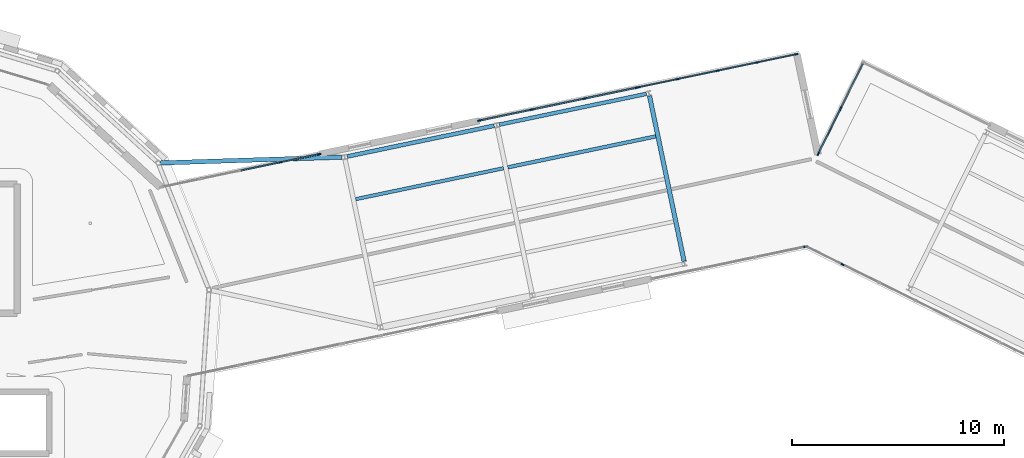
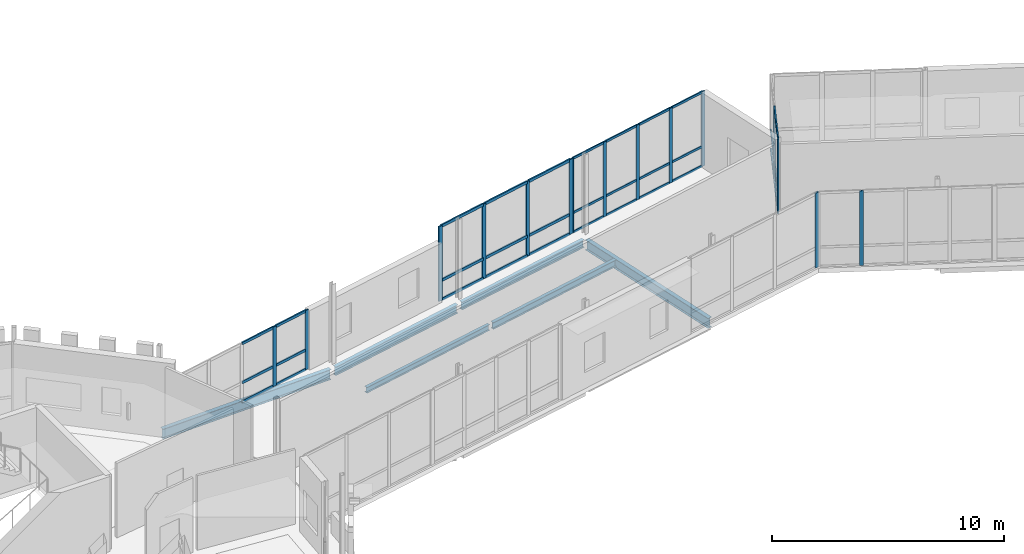
# One storey, part 52 of 125: 47 members, 6 beams, 6 elements without a shape of their own.
"""IFC4 building model written with IfcOpenShell, lengths in metres."""

from ifc_helpers import new_model, si_unit, direction, frame, origin, origin_2d, place, context, subcontext, project, spatial, rectangle, i_section, extrude, material, material_profile, profile_set, type_object, element, aggregate, save


model = new_model("IFC4")

# Units and contexts
model_context = context("Model", 3, precision=1e-05, world=origin(), true_north=direction((0.0, 1.0)))
body_context = subcontext(model_context, "Body", "Model", "MODEL_VIEW")
ifc_project = project(units=[si_unit("LENGTHUNIT", "METRE"), si_unit("AREAUNIT", "SQUARE_METRE"), si_unit("VOLUMEUNIT", "CUBIC_METRE"), si_unit("PLANEANGLEUNIT", "RADIAN"), si_unit("MASSUNIT", "GRAM", prefix="KILO")], contexts=[model_context])

# Site, building, storey
site_placement = place(None, origin())
site = spatial("IfcSite", under=ifc_project, at=site_placement, CompositionType="ELEMENT")
building_placement = place(site_placement, origin())
building = spatial("IfcBuilding", under=site, at=building_placement, Name="Wrenclough Park School", CompositionType="ELEMENT")
storey_placement = place(building_placement, frame((0.0, 0.0, 4.199951171875)))
storey = spatial("IfcBuildingStorey", under=building, at=storey_placement, Name="L01", CompositionType="ELEMENT", Elevation=4.199951171875)

# Curtain wall, members
ifc_material_1 = material(Name="Thermally broken aluminium and low-e glass curtain wall", Category="aluminium")
curtain_wall_type_1 = type_object("IfcCurtainWallType", Name="ENV-CW-13", PredefinedType="USERDEFINED", material=ifc_material_1)
curtain_wall_1_placement = place(storey_placement, origin())
curtain_wall_1 = element("IfcCurtainWall", 1, at=curtain_wall_1_placement, inside=storey, type_object=curtain_wall_type_1, Name="L01 recessed curtain wall assembly 108", ObjectType="CURTAIN WALL", PredefinedType="USERDEFINED")
ifc_material_2 = material(Name="Thermally broken anodised aluminium", Category="aluminium")
ifc_material_profile_1 = material_profile(ifc_material_2, rectangle(XDim=0.06005859375, YDim=0.159912109375, at=origin_2d()), Name="AL MULLION 60x160")
ifc_profile_set_1 = profile_set([ifc_material_profile_1], Name="Thermally broken anodised aluminium")
member_type_1 = type_object("IfcMemberType", Name="ENV-CWM-1", PredefinedType="MULLION", material=ifc_profile_set_1)
member_1_placement = place(storey_placement, frame((117.508544921875, 120.299560546875, 0.0), z_axis=(0.0, 0.0, 1.0), x_axis=(-0.204871023923, 0.978788978052, 0.0)))
member_1 = element("IfcMember", 2, at=member_1_placement, type_object=member_type_1, Name="CW-13 mullion 1", PredefinedType="MULLION", context=body_context, shape_type="SweptSolid", body=[
    extrude(rectangle(XDim=0.06005859375, YDim=0.159912109375, at=origin_2d()), origin(), (0.0, 0.0, 1.0), 3.93994140625),
])
member_2_placement = place(storey_placement, frame((119.349609375, 120.68505859375, 0.0), z_axis=(0.0, 0.0, 1.0), x_axis=(-0.204871023923, 0.978788978052, 0.0)))
member_2 = element("IfcMember", 3, at=member_2_placement, type_object=member_type_1, Name="CW-13 mullion 2", PredefinedType="MULLION", context=body_context, shape_type="SweptSolid", body=[
    extrude(rectangle(XDim=0.06005859375, YDim=0.159912109375, at=origin_2d()), origin(), (0.0, 0.0, 1.0), 3.93994140625),
])
member_3_placement = place(storey_placement, frame((121.219970703125, 121.076416015625, 0.0), z_axis=(0.0, 0.0, 1.0), x_axis=(-0.204871023923, 0.978788978052, 0.0)))
member_3 = element("IfcMember", 4, at=member_3_placement, type_object=member_type_1, Name="CW-13 mullion 3", PredefinedType="MULLION", context=body_context, shape_type="SweptSolid", body=[
    extrude(rectangle(XDim=0.06005859375, YDim=0.159912109375, at=origin_2d()), origin(), (0.0, 0.0, 1.0), 3.93994140625),
])
member_4_placement = place(storey_placement, frame((123.09033203125, 121.468017578125, 0.0), z_axis=(0.0, 0.0, 1.0), x_axis=(-0.204871023923, 0.978788978052, 0.0)))
member_4 = element("IfcMember", 5, at=member_4_placement, type_object=member_type_1, Name="CW-13 mullion 4", PredefinedType="MULLION", context=body_context, shape_type="SweptSolid", body=[
    extrude(rectangle(XDim=0.06005859375, YDim=0.159912109375, at=origin_2d()), origin(), (0.0, 0.0, 1.0), 3.93994140625),
])
member_5_placement = place(storey_placement, frame((124.931396484375, 121.853271484375, 0.0), z_axis=(0.0, 0.0, 1.0), x_axis=(-0.204871023923, 0.978788978052, 0.0)))
member_5 = element("IfcMember", 6, at=member_5_placement, type_object=member_type_1, Name="CW-13 mullion 5", PredefinedType="MULLION", context=body_context, shape_type="SweptSolid", body=[
    extrude(rectangle(XDim=0.06005859375, YDim=0.159912109375, at=origin_2d()), origin(), (0.0, 0.0, 1.0), 3.93994140625),
])

# Curtain wall, member
curtain_wall_type_2 = type_object("IfcCurtainWallType", Name="ENV-CW-03", PredefinedType="USERDEFINED", material=ifc_material_1)
curtain_wall_2_placement = place(storey_placement, origin())
curtain_wall_2 = element("IfcCurtainWall", 7, at=curtain_wall_2_placement, inside=storey, type_object=curtain_wall_type_2, Name="L01 recessed curtain wall assembly 162", ObjectType="CURTAIN WALL", PredefinedType="USERDEFINED")
member_6_placement = place(storey_placement, frame((127.115234375, 111.94970703125, 0.0), z_axis=(0.0, 0.0, 1.0), x_axis=(-0.443514696909, -0.896267099488, 0.0)))
member_6 = element("IfcMember", 8, at=member_6_placement, type_object=member_type_1, Name="CW-03 mullion 4", PredefinedType="MULLION", context=body_context, shape_type="SweptSolid", body=[
    extrude(rectangle(XDim=0.06005859375, YDim=0.159912109375, at=origin_2d()), origin(), (0.0, 0.0, 1.0), 3.93994140625),
])
aggregate(curtain_wall_2, [member_6])

# Curtain wall, members
curtain_wall_type_3 = type_object("IfcCurtainWallType", Name="ENV-CW-11", PredefinedType="USERDEFINED", material=ifc_material_1)
curtain_wall_3_placement = place(storey_placement, origin())
curtain_wall_3 = element("IfcCurtainWall", 9, at=curtain_wall_3_placement, inside=storey, type_object=curtain_wall_type_3, Name="L01 recessed curtain wall assembly 106", ObjectType="CURTAIN WALL", PredefinedType="USERDEFINED")
ifc_material_profile_2 = material_profile(ifc_material_2, rectangle(XDim=0.06494140625, YDim=0.179931640625, at=origin_2d()), Name="AL MULLION 65x180")
ifc_profile_set_2 = profile_set([ifc_material_profile_2], Name="Thermally broken anodised aluminium")
member_type_2 = type_object("IfcMemberType", Name="ENV-CWM-2", PredefinedType="MULLION", material=ifc_profile_set_2)
member_7_placement = place(storey_placement, frame((100.621826171875, 116.765380859375, 0.0), z_axis=(0.0, 0.0, 1.0), x_axis=(-0.204871023923, 0.978788978052, 0.0)))
member_7 = element("IfcMember", 10, at=member_7_placement, type_object=member_type_2, Name="CW-11 mullion 4", PredefinedType="MULLION", context=body_context, shape_type="SweptSolid", body=[
    extrude(rectangle(XDim=0.06494140625, YDim=0.179931640625, at=origin_2d()), origin(), (0.0, 0.0, 1.0), 3.132080078125),
])
member_8_placement = place(storey_placement, frame((102.46044921875, 117.150146484375, 0.0), z_axis=(0.0, 0.0, 1.0), x_axis=(-0.204871023923, 0.978788978052, 0.0)))
member_8 = element("IfcMember", 11, at=member_8_placement, type_object=member_type_2, Name="CW-11 mullion 5", PredefinedType="MULLION", context=body_context, shape_type="SweptSolid", body=[
    extrude(rectangle(XDim=0.06494140625, YDim=0.179931640625, at=origin_2d()), origin(), (0.0, 0.0, 1.0), 3.132080078125),
])

curtain_wall_type_4 = type_object("IfcCurtainWallType", Name="ENV-CW-14", PredefinedType="USERDEFINED", material=ifc_material_1)
curtain_wall_4_placement = place(storey_placement, origin())
curtain_wall_4 = element("IfcCurtainWall", 12, at=curtain_wall_4_placement, inside=storey, type_object=curtain_wall_type_4, Name="L01 recessed curtain wall assembly 109", ObjectType="CURTAIN WALL", PredefinedType="USERDEFINED")
member_9_placement = place(storey_placement, frame((125.9697265625, 117.168212890625, 0.0), z_axis=(0.0, 0.0, 1.0), x_axis=(-0.896270505341, 0.4435078142, 0.0)))
member_9 = element("IfcMember", 13, at=member_9_placement, type_object=member_type_2, Name="CW-14 mullion 1", PredefinedType="MULLION", context=body_context, shape_type="SweptSolid", body=[
    extrude(rectangle(XDim=0.06494140625, YDim=0.179931640625, at=origin_2d()), origin(), (0.0, 0.0, 1.0), 3.93994140625),
])
member_10_placement = place(storey_placement, frame((127.024169921875, 119.298828125, 0.0), z_axis=(0.0, 0.0, 1.0), x_axis=(-0.896270505341, 0.4435078142, 0.0)))
member_10 = element("IfcMember", 14, at=member_10_placement, type_object=member_type_2, Name="CW-14 mullion 2", PredefinedType="MULLION", context=body_context, shape_type="SweptSolid", body=[
    extrude(rectangle(XDim=0.06494140625, YDim=0.179931640625, at=origin_2d()), origin(), (0.0, 0.0, 1.0), 3.93994140625),
])

# Curtain wall, member
curtain_wall_type_5 = type_object("IfcCurtainWallType", Name="ENV-CW-04", PredefinedType="USERDEFINED", material=ifc_material_1)
curtain_wall_5_placement = place(storey_placement, origin())
curtain_wall_5 = element("IfcCurtainWall", 15, at=curtain_wall_5_placement, inside=storey, type_object=curtain_wall_type_5, Name="L01 recessed curtain wall assembly 163", ObjectType="CURTAIN WALL", PredefinedType="USERDEFINED")
member_11_placement = place(storey_placement, frame((125.36572265625, 112.790283203125, 0.0), z_axis=(0.0, 0.0, 1.0), x_axis=(0.204873635602, -0.978788431396, 0.0)))
member_11 = element("IfcMember", 16, at=member_11_placement, type_object=member_type_2, Name="CW-04 mullion 1", PredefinedType="MULLION", context=body_context, shape_type="SweptSolid", body=[
    extrude(rectangle(XDim=0.06494140625, YDim=0.179931640625, at=origin_2d()), origin(), (0.0, 0.0, 1.0), 3.93994140625),
])
aggregate(curtain_wall_5, [member_11])

# Curtain wall, members
curtain_wall_type_6 = type_object("IfcCurtainWallType", Name="ENV-CW-12", PredefinedType="USERDEFINED", material=ifc_material_1)
curtain_wall_6_placement = place(storey_placement, origin())
curtain_wall_6 = element("IfcCurtainWall", 17, at=curtain_wall_6_placement, inside=storey, type_object=curtain_wall_type_6, Name="L01 recessed curtain wall assembly 107", ObjectType="CURTAIN WALL", PredefinedType="USERDEFINED")
ifc_material_profile_3 = material_profile(ifc_material_2, rectangle(XDim=0.070068359375, YDim=0.199951171875, at=origin_2d()), Name="AL MULLION 70x200")
ifc_profile_set_3 = profile_set([ifc_material_profile_3], Name="Thermally broken anodised aluminium")
member_type_3 = type_object("IfcMemberType", Name="ENV-CWM-3", PredefinedType="MULLION", material=ifc_profile_set_3)
member_12_placement = place(storey_placement, frame((110.02392578125, 118.733154296875, 0.0), z_axis=(0.0, 0.0, 1.0), x_axis=(-0.204858490521, 0.978791601344, 0.0)))
member_12 = element("IfcMember", 18, at=member_12_placement, type_object=member_type_3, Name="CW-12 mullion 1", PredefinedType="MULLION", context=body_context, shape_type="SweptSolid", body=[
    extrude(rectangle(XDim=0.070068359375, YDim=0.199951171875, at=origin_2d()), origin(), (0.0, 0.0, 1.0), 3.93994140625),
])
member_13_placement = place(storey_placement, frame((112.4833984375, 119.248046875, 0.0), z_axis=(0.0, 0.0, 1.0), x_axis=(-0.204858490521, 0.978791601344, 0.0)))
member_13 = element("IfcMember", 19, at=member_13_placement, type_object=member_type_3, Name="CW-12 mullion 2", PredefinedType="MULLION", context=body_context, shape_type="SweptSolid", body=[
    extrude(rectangle(XDim=0.070068359375, YDim=0.199951171875, at=origin_2d()), origin(), (0.0, 0.0, 1.0), 3.93994140625),
])
member_14_placement = place(storey_placement, frame((114.977294921875, 119.77001953125, 0.0), z_axis=(0.0, 0.0, 1.0), x_axis=(-0.204858490521, 0.978791601344, 0.0)))
member_14 = element("IfcMember", 20, at=member_14_placement, type_object=member_type_3, Name="CW-12 mullion 3", PredefinedType="MULLION", context=body_context, shape_type="SweptSolid", body=[
    extrude(rectangle(XDim=0.070068359375, YDim=0.199951171875, at=origin_2d()), origin(), (0.0, 0.0, 1.0), 3.93994140625),
])
member_15_placement = place(storey_placement, frame((117.43701171875, 120.28466796875, 0.0), z_axis=(0.0, 0.0, 1.0), x_axis=(-0.204858490521, 0.978791601344, 0.0)))
member_15 = element("IfcMember", 21, at=member_15_placement, type_object=member_type_3, Name="CW-12 mullion 4", PredefinedType="MULLION", context=body_context, shape_type="SweptSolid", body=[
    extrude(rectangle(XDim=0.070068359375, YDim=0.199951171875, at=origin_2d()), origin(), (0.0, 0.0, 1.0), 3.93994140625),
])

# Member
ifc_material_profile_4 = material_profile(ifc_material_2, rectangle(XDim=0.06005859375, YDim=0.1201171875, at=origin_2d()), Name="AL TRANSOM 60x120")
ifc_profile_set_4 = profile_set([ifc_material_profile_4], Name="Thermally broken anodised aluminium")
member_type_4 = type_object("IfcMemberType", Name="ENV-CWT-1", PredefinedType="USERDEFINED", material=ifc_profile_set_4)
member_16_placement = place(storey_placement, frame((117.537841796875, 120.305908203125, 0.030029296875), z_axis=(0.978788124195, 0.204875103256, 0.0), x_axis=(-0.204875103256, 0.978788124195, 0.0)))
member_16 = element("IfcMember", 22, at=member_16_placement, type_object=member_type_4, Name="CW-13 transom 1.1", ObjectType="TRANSOM", PredefinedType="USERDEFINED", context=body_context, shape_type="SweptSolid", body=[
    extrude(rectangle(XDim=0.06005859375, YDim=0.1201171875, at=origin_2d()), origin(), (0.0, 0.0, 1.0), 1.82080078125),
])

member_17_placement = place(storey_placement, frame((117.537841796875, 120.305908203125, 1.050048828125), z_axis=(0.978788124195, 0.204875103256, 0.0), x_axis=(-0.204875103256, 0.978788124195, 0.0)))
member_17 = element("IfcMember", 23, at=member_17_placement, type_object=member_type_4, Name="CW-13 transom 1.2", ObjectType="TRANSOM", PredefinedType="USERDEFINED", context=body_context, shape_type="SweptSolid", body=[
    extrude(rectangle(XDim=0.06005859375, YDim=0.1201171875, at=origin_2d()), origin(), (0.0, 0.0, 1.0), 1.82080078125),
])

member_18_placement = place(storey_placement, frame((117.537841796875, 120.305908203125, 3.91015625), z_axis=(0.978788124195, 0.204875103256, 0.0), x_axis=(-0.204875103256, 0.978788124195, 0.0)))
member_18 = element("IfcMember", 24, at=member_18_placement, type_object=member_type_4, Name="CW-13 transom 1.3", ObjectType="TRANSOM", PredefinedType="USERDEFINED", context=body_context, shape_type="SweptSolid", body=[
    extrude(rectangle(XDim=0.06005859375, YDim=0.1201171875, at=origin_2d()), origin(), (0.0, 0.0, 1.0), 1.82080078125),
])

member_19_placement = place(storey_placement, frame((119.37890625, 120.691162109375, 0.030029296875), z_axis=(0.978796775381, 0.204833767978, 0.0), x_axis=(-0.204833767978, 0.978796775381, 0.0)))
member_19 = element("IfcMember", 25, at=member_19_placement, type_object=member_type_4, Name="CW-13 transom 2.1", ObjectType="TRANSOM", PredefinedType="USERDEFINED", context=body_context, shape_type="SweptSolid", body=[
    extrude(rectangle(XDim=0.06005859375, YDim=0.1201171875, at=origin_2d()), origin(), (0.0, 0.0, 1.0), 1.85107421875),
])

member_20_placement = place(storey_placement, frame((119.37890625, 120.691162109375, 1.050048828125), z_axis=(0.978796775381, 0.204833767978, 0.0), x_axis=(-0.204833767978, 0.978796775381, 0.0)))
member_20 = element("IfcMember", 26, at=member_20_placement, type_object=member_type_4, Name="CW-13 transom 2.2", ObjectType="TRANSOM", PredefinedType="USERDEFINED", context=body_context, shape_type="SweptSolid", body=[
    extrude(rectangle(XDim=0.06005859375, YDim=0.1201171875, at=origin_2d()), origin(), (0.0, 0.0, 1.0), 1.85107421875),
])

member_21_placement = place(storey_placement, frame((119.37890625, 120.691162109375, 3.91015625), z_axis=(0.978796775381, 0.204833767978, 0.0), x_axis=(-0.204833767978, 0.978796775381, 0.0)))
member_21 = element("IfcMember", 27, at=member_21_placement, type_object=member_type_4, Name="CW-13 transom 2.3", ObjectType="TRANSOM", PredefinedType="USERDEFINED", context=body_context, shape_type="SweptSolid", body=[
    extrude(rectangle(XDim=0.06005859375, YDim=0.1201171875, at=origin_2d()), origin(), (0.0, 0.0, 1.0), 1.85107421875),
])

member_22_placement = place(storey_placement, frame((121.249267578125, 121.082763671875, 0.030029296875), z_axis=(0.978796775381, 0.204833767978, 0.0), x_axis=(-0.204833767978, 0.978796775381, 0.0)))
member_22 = element("IfcMember", 28, at=member_22_placement, type_object=member_type_4, Name="CW-13 transom 3.1", ObjectType="TRANSOM", PredefinedType="USERDEFINED", context=body_context, shape_type="SweptSolid", body=[
    extrude(rectangle(XDim=0.06005859375, YDim=0.1201171875, at=origin_2d()), origin(), (0.0, 0.0, 1.0), 1.85107421875),
])

member_23_placement = place(storey_placement, frame((121.249267578125, 121.082763671875, 1.050048828125), z_axis=(0.978796775381, 0.204833767978, 0.0), x_axis=(-0.204833767978, 0.978796775381, 0.0)))
member_23 = element("IfcMember", 29, at=member_23_placement, type_object=member_type_4, Name="CW-13 transom 3.2", ObjectType="TRANSOM", PredefinedType="USERDEFINED", context=body_context, shape_type="SweptSolid", body=[
    extrude(rectangle(XDim=0.06005859375, YDim=0.1201171875, at=origin_2d()), origin(), (0.0, 0.0, 1.0), 1.85107421875),
])

member_24_placement = place(storey_placement, frame((121.249267578125, 121.082763671875, 3.91015625), z_axis=(0.978796775381, 0.204833767978, 0.0), x_axis=(-0.204833767978, 0.978796775381, 0.0)))
member_24 = element("IfcMember", 30, at=member_24_placement, type_object=member_type_4, Name="CW-13 transom 3.3", ObjectType="TRANSOM", PredefinedType="USERDEFINED", context=body_context, shape_type="SweptSolid", body=[
    extrude(rectangle(XDim=0.06005859375, YDim=0.1201171875, at=origin_2d()), origin(), (0.0, 0.0, 1.0), 1.85107421875),
])

member_25_placement = place(storey_placement, frame((123.11962890625, 121.47412109375, 0.030029296875), z_axis=(0.978793750959, 0.204848219623, 0.0), x_axis=(-0.204848219623, 0.978793750959, 0.0)))
member_25 = element("IfcMember", 31, at=member_25_placement, type_object=member_type_4, Name="CW-13 transom 4.1", ObjectType="TRANSOM", PredefinedType="USERDEFINED", context=body_context, shape_type="SweptSolid", body=[
    extrude(rectangle(XDim=0.06005859375, YDim=0.1201171875, at=origin_2d()), origin(), (0.0, 0.0, 1.0), 1.821044921875),
])

member_26_placement = place(storey_placement, frame((123.11962890625, 121.47412109375, 1.050048828125), z_axis=(0.978793750959, 0.204848219623, 0.0), x_axis=(-0.204848219623, 0.978793750959, 0.0)))
member_26 = element("IfcMember", 32, at=member_26_placement, type_object=member_type_4, Name="CW-13 transom 4.2", ObjectType="TRANSOM", PredefinedType="USERDEFINED", context=body_context, shape_type="SweptSolid", body=[
    extrude(rectangle(XDim=0.06005859375, YDim=0.1201171875, at=origin_2d()), origin(), (0.0, 0.0, 1.0), 1.821044921875),
])

member_27_placement = place(storey_placement, frame((123.11962890625, 121.47412109375, 3.91015625), z_axis=(0.978793750959, 0.204848219623, 0.0), x_axis=(-0.204848219623, 0.978793750959, 0.0)))
member_27 = element("IfcMember", 33, at=member_27_placement, type_object=member_type_4, Name="CW-13 transom 4.3", ObjectType="TRANSOM", PredefinedType="USERDEFINED", context=body_context, shape_type="SweptSolid", body=[
    extrude(rectangle(XDim=0.06005859375, YDim=0.1201171875, at=origin_2d()), origin(), (0.0, 0.0, 1.0), 1.821044921875),
])

aggregate(curtain_wall_1, [member_1, member_2, member_3, member_4, member_5, member_16, member_17, member_18, member_19, member_20, member_21, member_22, member_23, member_24, member_25, member_26, member_27])

ifc_material_profile_5 = material_profile(ifc_material_2, rectangle(XDim=0.06494140625, YDim=0.139892578125, at=origin_2d()), Name="AL TRANSOM 65x140")
ifc_profile_set_5 = profile_set([ifc_material_profile_5], Name="Thermally broken anodised aluminium")
member_type_5 = type_object("IfcMemberType", Name="ENV-CWT-2", PredefinedType="USERDEFINED", material=ifc_profile_set_5)
member_28_placement = place(storey_placement, frame((98.783203125, 116.380615234375, 0.032470703125), z_axis=(0.978791858667, 0.204857261056, 0.0), x_axis=(-0.204857261056, 0.978791858667, 0.0)))
member_28 = element("IfcMember", 34, at=member_28_placement, type_object=member_type_5, Name="CW-11 transom 3.1", ObjectType="TRANSOM", PredefinedType="USERDEFINED", context=body_context, shape_type="SweptSolid", body=[
    extrude(rectangle(XDim=0.06494140625, YDim=0.139892578125, at=origin_2d()), origin(), (0.0, 0.0, 1.0), 1.845947265625),
])

member_29_placement = place(storey_placement, frame((98.783203125, 116.380615234375, 1.050048828125), z_axis=(0.978791858667, 0.204857261056, 0.0), x_axis=(-0.204857261056, 0.978791858667, 0.0)))
member_29 = element("IfcMember", 35, at=member_29_placement, type_object=member_type_5, Name="CW-11 transom 3.2", ObjectType="TRANSOM", PredefinedType="USERDEFINED", context=body_context, shape_type="SweptSolid", body=[
    extrude(rectangle(XDim=0.06494140625, YDim=0.139892578125, at=origin_2d()), origin(), (0.0, 0.0, 1.0), 1.845947265625),
])

member_30_placement = place(storey_placement, frame((98.783203125, 116.380615234375, 3.099609375), z_axis=(0.978791858667, 0.204857261056, 0.0), x_axis=(-0.204857261056, 0.978791858667, 0.0)))
member_30 = element("IfcMember", 36, at=member_30_placement, type_object=member_type_5, Name="CW-11 transom 3.3", ObjectType="TRANSOM", PredefinedType="USERDEFINED", context=body_context, shape_type="SweptSolid", body=[
    extrude(rectangle(XDim=0.06494140625, YDim=0.139892578125, at=origin_2d()), origin(), (0.0, 0.0, 1.0), 1.845947265625),
])

member_31_placement = place(storey_placement, frame((100.653564453125, 116.77197265625, 0.032470703125), z_axis=(0.978786230857, 0.204884148448, 0.0), x_axis=(-0.204884148448, 0.978786230857, 0.0)))
member_31 = element("IfcMember", 37, at=member_31_placement, type_object=member_type_5, Name="CW-11 transom 4.1", ObjectType="TRANSOM", PredefinedType="USERDEFINED", context=body_context, shape_type="SweptSolid", body=[
    extrude(rectangle(XDim=0.06494140625, YDim=0.139892578125, at=origin_2d()), origin(), (0.0, 0.0, 1.0), 1.813720703125),
])

member_32_placement = place(storey_placement, frame((100.653564453125, 116.77197265625, 1.050048828125), z_axis=(0.978786230857, 0.204884148448, 0.0), x_axis=(-0.204884148448, 0.978786230857, 0.0)))
member_32 = element("IfcMember", 38, at=member_32_placement, type_object=member_type_5, Name="CW-11 transom 4.2", ObjectType="TRANSOM", PredefinedType="USERDEFINED", context=body_context, shape_type="SweptSolid", body=[
    extrude(rectangle(XDim=0.06494140625, YDim=0.139892578125, at=origin_2d()), origin(), (0.0, 0.0, 1.0), 1.813720703125),
])

member_33_placement = place(storey_placement, frame((100.653564453125, 116.77197265625, 3.099609375), z_axis=(0.978786230857, 0.204884148448, 0.0), x_axis=(-0.204884148448, 0.978786230857, 0.0)))
member_33 = element("IfcMember", 39, at=member_33_placement, type_object=member_type_5, Name="CW-11 transom 4.3", ObjectType="TRANSOM", PredefinedType="USERDEFINED", context=body_context, shape_type="SweptSolid", body=[
    extrude(rectangle(XDim=0.06494140625, YDim=0.139892578125, at=origin_2d()), origin(), (0.0, 0.0, 1.0), 1.813720703125),
])

aggregate(curtain_wall_3, [member_7, member_8, member_28, member_29, member_30, member_31, member_32, member_33])

member_34_placement = place(storey_placement, frame((125.984130859375, 117.197509765625, 0.032470703125), z_axis=(0.443492841606, 0.896277914179, 0.0), x_axis=(-0.896277914179, 0.443492841606, 0.0)))
member_34 = element("IfcMember", 40, at=member_34_placement, type_object=member_type_5, Name="CW-14 transom 1.1", ObjectType="TRANSOM", PredefinedType="USERDEFINED", context=body_context, shape_type="SweptSolid", body=[
    extrude(rectangle(XDim=0.06494140625, YDim=0.139892578125, at=origin_2d()), origin(), (0.0, 0.0, 1.0), 2.31201171875),
])

member_35_placement = place(storey_placement, frame((125.984130859375, 117.197509765625, 1.050048828125), z_axis=(0.443492841606, 0.896277914179, 0.0), x_axis=(-0.896277914179, 0.443492841606, 0.0)))
member_35 = element("IfcMember", 41, at=member_35_placement, type_object=member_type_5, Name="CW-14 transom 1.2", ObjectType="TRANSOM", PredefinedType="USERDEFINED", context=body_context, shape_type="SweptSolid", body=[
    extrude(rectangle(XDim=0.06494140625, YDim=0.139892578125, at=origin_2d()), origin(), (0.0, 0.0, 1.0), 2.31201171875),
])

member_36_placement = place(storey_placement, frame((125.984130859375, 117.197509765625, 3.907470703125), z_axis=(0.443492841606, 0.896277914179, 0.0), x_axis=(-0.896277914179, 0.443492841606, 0.0)))
member_36 = element("IfcMember", 42, at=member_36_placement, type_object=member_type_5, Name="CW-14 transom 1.3", ObjectType="TRANSOM", PredefinedType="USERDEFINED", context=body_context, shape_type="SweptSolid", body=[
    extrude(rectangle(XDim=0.06494140625, YDim=0.139892578125, at=origin_2d()), origin(), (0.0, 0.0, 1.0), 2.31201171875),
])

member_37_placement = place(storey_placement, frame((127.03857421875, 119.327880859375, 0.032470703125), z_axis=(0.443492841606, 0.896277914179, 0.0), x_axis=(-0.896277914179, 0.443492841606, 0.0)))
member_37 = element("IfcMember", 43, at=member_37_placement, type_object=member_type_5, Name="CW-14 transom 2.1", ObjectType="TRANSOM", PredefinedType="USERDEFINED", context=body_context, shape_type="SweptSolid", body=[
    extrude(rectangle(XDim=0.06494140625, YDim=0.139892578125, at=origin_2d()), origin(), (0.0, 0.0, 1.0), 2.31201171875),
])

member_38_placement = place(storey_placement, frame((127.03857421875, 119.327880859375, 1.050048828125), z_axis=(0.443492841606, 0.896277914179, 0.0), x_axis=(-0.896277914179, 0.443492841606, 0.0)))
member_38 = element("IfcMember", 44, at=member_38_placement, type_object=member_type_5, Name="CW-14 transom 2.2", ObjectType="TRANSOM", PredefinedType="USERDEFINED", context=body_context, shape_type="SweptSolid", body=[
    extrude(rectangle(XDim=0.06494140625, YDim=0.139892578125, at=origin_2d()), origin(), (0.0, 0.0, 1.0), 2.31201171875),
])

aggregate(curtain_wall_4, [member_9, member_10, member_34, member_35, member_36, member_37, member_38])

ifc_material_profile_6 = material_profile(ifc_material_2, rectangle(XDim=0.070068359375, YDim=0.14990234375, at=origin_2d()), Name="AL TRANSOM 70x150")
ifc_profile_set_6 = profile_set([ifc_material_profile_6], Name="Thermally broken anodised aluminium")
member_type_6 = type_object("IfcMemberType", Name="ENV-CWT-3", PredefinedType="USERDEFINED", material=ifc_profile_set_6)
member_39_placement = place(storey_placement, frame((110.05810546875, 118.740234375, 0.03515625), z_axis=(0.978788761091, 0.204872060469, 0.0), x_axis=(-0.204872060469, 0.978788761091, 0.0)))
member_39 = element("IfcMember", 45, at=member_39_placement, type_object=member_type_6, Name="CW-12 transom 1.1", ObjectType="TRANSOM", PredefinedType="USERDEFINED", context=body_context, shape_type="SweptSolid", body=[
    extrude(rectangle(XDim=0.070068359375, YDim=0.14990234375, at=origin_2d()), origin(), (0.0, 0.0, 1.0), 2.44287109375),
])

member_40_placement = place(storey_placement, frame((110.05810546875, 118.740234375, 1.050048828125), z_axis=(0.978788761091, 0.204872060469, 0.0), x_axis=(-0.204872060469, 0.978788761091, 0.0)))
member_40 = element("IfcMember", 46, at=member_40_placement, type_object=member_type_6, Name="CW-12 transom 1.2", ObjectType="TRANSOM", PredefinedType="USERDEFINED", context=body_context, shape_type="SweptSolid", body=[
    extrude(rectangle(XDim=0.070068359375, YDim=0.14990234375, at=origin_2d()), origin(), (0.0, 0.0, 1.0), 2.44287109375),
])

member_41_placement = place(storey_placement, frame((110.05810546875, 118.740234375, 3.905029296875), z_axis=(0.978788761091, 0.204872060469, 0.0), x_axis=(-0.204872060469, 0.978788761091, 0.0)))
member_41 = element("IfcMember", 47, at=member_41_placement, type_object=member_type_6, Name="CW-12 transom 1.3", ObjectType="TRANSOM", PredefinedType="USERDEFINED", context=body_context, shape_type="SweptSolid", body=[
    extrude(rectangle(XDim=0.070068359375, YDim=0.14990234375, at=origin_2d()), origin(), (0.0, 0.0, 1.0), 2.44287109375),
])

member_42_placement = place(storey_placement, frame((112.517822265625, 119.255126953125, 0.03515625), z_axis=(0.978794760241, 0.204843397075, 0.0), x_axis=(-0.204843397075, 0.978794760241, 0.0)))
member_42 = element("IfcMember", 48, at=member_42_placement, type_object=member_type_6, Name="CW-12 transom 2.1", ObjectType="TRANSOM", PredefinedType="USERDEFINED", context=body_context, shape_type="SweptSolid", body=[
    extrude(rectangle(XDim=0.070068359375, YDim=0.14990234375, at=origin_2d()), origin(), (0.0, 0.0, 1.0), 2.477783203125),
])

member_43_placement = place(storey_placement, frame((112.517822265625, 119.255126953125, 1.050048828125), z_axis=(0.978794760241, 0.204843397075, 0.0), x_axis=(-0.204843397075, 0.978794760241, 0.0)))
member_43 = element("IfcMember", 49, at=member_43_placement, type_object=member_type_6, Name="CW-12 transom 2.2", ObjectType="TRANSOM", PredefinedType="USERDEFINED", context=body_context, shape_type="SweptSolid", body=[
    extrude(rectangle(XDim=0.070068359375, YDim=0.14990234375, at=origin_2d()), origin(), (0.0, 0.0, 1.0), 2.477783203125),
])

member_44_placement = place(storey_placement, frame((112.517822265625, 119.255126953125, 3.905029296875), z_axis=(0.978794760241, 0.204843397075, 0.0), x_axis=(-0.204843397075, 0.978794760241, 0.0)))
member_44 = element("IfcMember", 50, at=member_44_placement, type_object=member_type_6, Name="CW-12 transom 2.3", ObjectType="TRANSOM", PredefinedType="USERDEFINED", context=body_context, shape_type="SweptSolid", body=[
    extrude(rectangle(XDim=0.070068359375, YDim=0.14990234375, at=origin_2d()), origin(), (0.0, 0.0, 1.0), 2.477783203125),
])

member_45_placement = place(storey_placement, frame((115.01171875, 119.777099609375, 0.03515625), z_axis=(0.978788761091, 0.204872060469, 0.0), x_axis=(-0.204872060469, 0.978788761091, 0.0)))
member_45 = element("IfcMember", 51, at=member_45_placement, type_object=member_type_6, Name="CW-12 transom 3.1", ObjectType="TRANSOM", PredefinedType="USERDEFINED", context=body_context, shape_type="SweptSolid", body=[
    extrude(rectangle(XDim=0.070068359375, YDim=0.14990234375, at=origin_2d()), origin(), (0.0, 0.0, 1.0), 2.44287109375),
])

member_46_placement = place(storey_placement, frame((115.01171875, 119.777099609375, 1.050048828125), z_axis=(0.978788761091, 0.204872060469, 0.0), x_axis=(-0.204872060469, 0.978788761091, 0.0)))
member_46 = element("IfcMember", 52, at=member_46_placement, type_object=member_type_6, Name="CW-12 transom 3.2", ObjectType="TRANSOM", PredefinedType="USERDEFINED", context=body_context, shape_type="SweptSolid", body=[
    extrude(rectangle(XDim=0.070068359375, YDim=0.14990234375, at=origin_2d()), origin(), (0.0, 0.0, 1.0), 2.44287109375),
])

member_47_placement = place(storey_placement, frame((115.01171875, 119.777099609375, 3.905029296875), z_axis=(0.978788761091, 0.204872060469, 0.0), x_axis=(-0.204872060469, 0.978788761091, 0.0)))
member_47 = element("IfcMember", 53, at=member_47_placement, type_object=member_type_6, Name="CW-12 transom 3.3", ObjectType="TRANSOM", PredefinedType="USERDEFINED", context=body_context, shape_type="SweptSolid", body=[
    extrude(rectangle(XDim=0.070068359375, YDim=0.14990234375, at=origin_2d()), origin(), (0.0, 0.0, 1.0), 2.44287109375),
])

aggregate(curtain_wall_6, [member_12, member_13, member_14, member_15, member_39, member_40, member_41, member_42, member_43, member_44, member_45, member_46, member_47])

# Beams
ifc_material_3 = material(Name="Structural steel S355", Category="steel")
ifc_material_profile_7 = material_profile(ifc_material_3, i_section(OverallWidth=0.1650390625, OverallDepth=0.303466796875, WebThickness=0.006103515625, FlangeThickness=0.01025390625, FilletRadius=0.0087890625, at=origin_2d()), Name="UKB 305x165x40")
ifc_profile_set_7 = profile_set([ifc_material_profile_7], Name="Structural steel S355")
beam_type_1 = type_object("IfcBeamType", Name="STR-BM-UKB305", PredefinedType="JOIST", material=ifc_profile_set_7)
beam_1_placement = place(storey_placement, frame((104.1826171875, 115.02783203125, -0.401611328125), z_axis=(0.978785502832, 0.204887626386, 0.0), x_axis=(-0.204887626386, 0.978785502832, 0.0)))
element("IfcBeam", 54, at=beam_1_placement, inside=storey, type_object=beam_type_1, Name="W45 L01 secondary floor joist 0079", PredefinedType="JOIST", context=body_context, shape_type="SweptSolid", body=[
    extrude(i_section(OverallWidth=0.1650390625, OverallDepth=0.303466796875, WebThickness=0.006103515625, FlangeThickness=0.01025390625, FilletRadius=0.0087890625, at=origin_2d()), origin(), (0.0, 0.0, 1.0), 7.112548828125),
])
ifc_material_profile_8 = material_profile(ifc_material_3, i_section(OverallWidth=0.17138671875, OverallDepth=0.35498046875, WebThickness=0.00732421875, FlangeThickness=0.011474609375, FilletRadius=0.01025390625, at=origin_2d()), Name="UKB 356x171x51")
ifc_profile_set_8 = profile_set([ifc_material_profile_8], Name="Structural steel S355")
beam_type_2 = type_object("IfcBeamType", Name="STR-BM-UKB356", PredefinedType="JOIST", material=ifc_profile_set_8)
beam_2_placement = place(storey_placement, frame((111.34912109375, 116.52783203125, -0.427490234375), z_axis=(0.978785502832, 0.204887626386, 0.0), x_axis=(-0.204887626386, 0.978785502832, 0.0)))
element("IfcBeam", 55, at=beam_2_placement, inside=storey, type_object=beam_type_2, Name="W45 L01 secondary floor joist 0082", PredefinedType="JOIST", context=body_context, shape_type="SweptSolid", body=[
    extrude(i_section(OverallWidth=0.17138671875, OverallDepth=0.35498046875, WebThickness=0.00732421875, FlangeThickness=0.011474609375, FilletRadius=0.01025390625, at=origin_2d()), origin(), (0.0, 0.0, 1.0), 7.112548828125),
])
ifc_material_profile_9 = material_profile(ifc_material_3, i_section(OverallWidth=0.177978515625, OverallDepth=0.406494140625, WebThickness=0.0078125, FlangeThickness=0.0126953125, FilletRadius=0.01025390625, at=origin_2d()), Name="UKB 406x178x60")
ifc_profile_set_9 = profile_set([ifc_material_profile_9], Name="Structural steel S355")
beam_type_3 = type_object("IfcBeamType", Name="STR-BM-UKB406", PredefinedType="BEAM", material=ifc_profile_set_9)
beam_3_placement = place(storey_placement, frame((110.9462890625, 118.5380859375, -0.453125), z_axis=(0.978790303538, 0.204864691197, 0.0), x_axis=(-0.204864691197, 0.978790303538, 0.0)))
element("IfcBeam", 56, at=beam_3_placement, inside=storey, type_object=beam_type_3, Name="W45 L01 longitudinal edge beam L2", PredefinedType="BEAM", context=body_context, shape_type="SweptSolid", body=[
    extrude(i_section(OverallWidth=0.177978515625, OverallDepth=0.406494140625, WebThickness=0.0078125, FlangeThickness=0.0126953125, FilletRadius=0.01025390625, at=origin_2d()), origin(), (0.0, 0.0, 1.0), 7.07763671875),
])
ifc_material_profile_10 = material_profile(ifc_material_3, i_section(OverallWidth=0.18994140625, OverallDepth=0.453369140625, WebThickness=0.008544921875, FlangeThickness=0.0126953125, FilletRadius=0.01025390625, at=origin_2d()), Name="UKB 457x191x67")
ifc_profile_set_10 = profile_set([ifc_material_profile_10], Name="Structural steel S355")
beam_type_4 = type_object("IfcBeamType", Name="STR-BM-UKB457A", PredefinedType="BEAM", material=ifc_profile_set_10)
beam_4_placement = place(storey_placement, frame((103.77978515625, 117.0380859375, -0.4765625), z_axis=(0.978788855734, 0.20487160831, 0.0), x_axis=(-0.20487160831, 0.978788855734, 0.0)))
element("IfcBeam", 57, at=beam_4_placement, inside=storey, type_object=beam_type_4, Name="W45 L01 longitudinal edge beam L1", PredefinedType="BEAM", context=body_context, shape_type="SweptSolid", body=[
    extrude(i_section(OverallWidth=0.18994140625, OverallDepth=0.453369140625, WebThickness=0.008544921875, FlangeThickness=0.0126953125, FilletRadius=0.01025390625, at=origin_2d()), origin(), (0.0, 0.0, 1.0), 7.077392578125),
])
ifc_material_profile_11 = material_profile(ifc_material_3, i_section(OverallWidth=0.209228515625, OverallDepth=0.533203125, WebThickness=0.010009765625, FlangeThickness=0.015625, FilletRadius=0.0126953125, at=origin_2d()), Name="UKB 533x210x92")
ifc_profile_set_11 = profile_set([ifc_material_profile_11], Name="Structural steel S355")
beam_type_5 = type_object("IfcBeamType", Name="STR-BM-UKB533A", PredefinedType="BEAM", material=ifc_profile_set_11)
beam_5_placement = place(storey_placement, frame((118.018310546875, 119.893310546875, -0.516357421875), z_axis=(0.204878196364, -0.978787476756, 0.0), x_axis=(0.978787476756, 0.204878196364, 0.0)))
element("IfcBeam", 58, at=beam_5_placement, inside=storey, type_object=beam_type_5, Name="W45 L01 transverse floor beam 3", PredefinedType="BEAM", context=body_context, shape_type="SweptSolid", body=[
    extrude(i_section(OverallWidth=0.209228515625, OverallDepth=0.533203125, WebThickness=0.010009765625, FlangeThickness=0.015625, FilletRadius=0.0126953125, at=origin_2d()), origin(), (0.0, 0.0, 1.0), 7.955322265625),
])
beam_6_placement = place(storey_placement, frame((103.5380859375, 117.009033203125, -0.516357421875), z_axis=(-0.999477735574, -0.032314951515, 0.0), x_axis=(0.032314951515, -0.999477735574, 0.0)))
element("IfcBeam", 59, at=beam_6_placement, inside=storey, type_object=beam_type_5, Name="W45 L01 drum junction tie beam 41", PredefinedType="BEAM", context=body_context, shape_type="SweptSolid", body=[
    extrude(i_section(OverallWidth=0.209228515625, OverallDepth=0.533203125, WebThickness=0.010009765625, FlangeThickness=0.015625, FilletRadius=0.0126953125, at=origin_2d()), origin(), (0.0, 0.0, 1.0), 8.544677734375),
])

save(model, "model.ifc")
